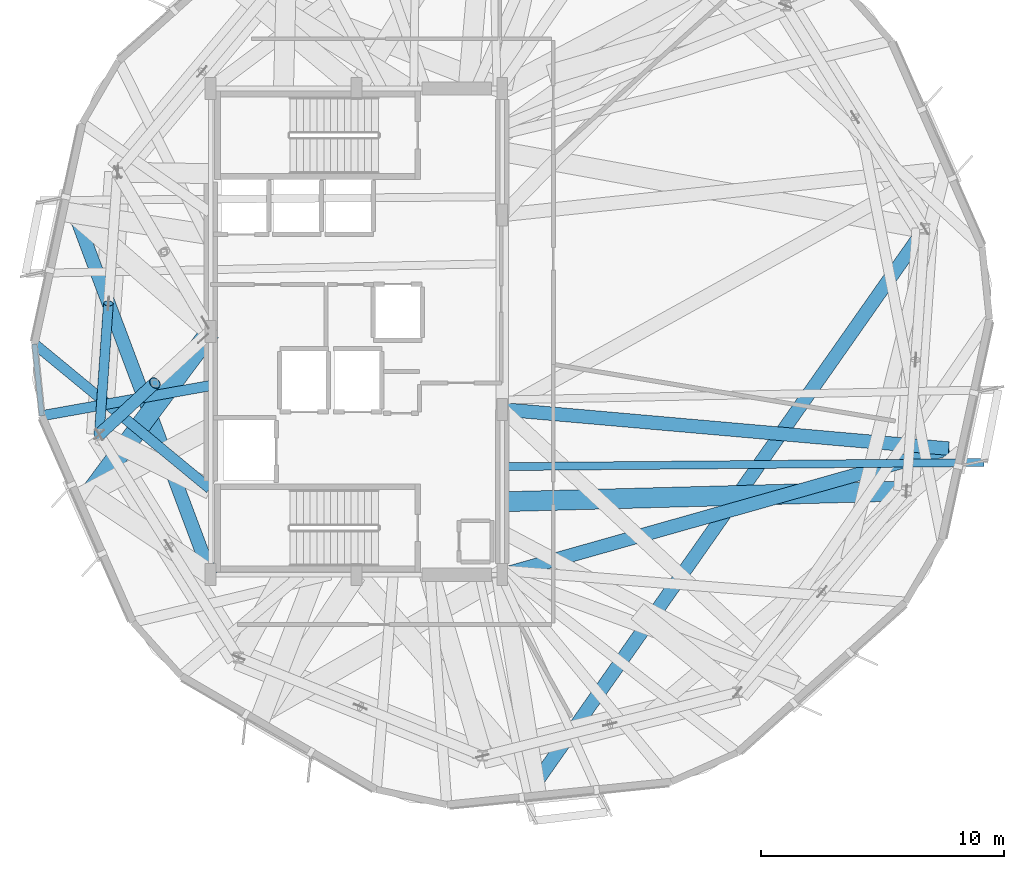
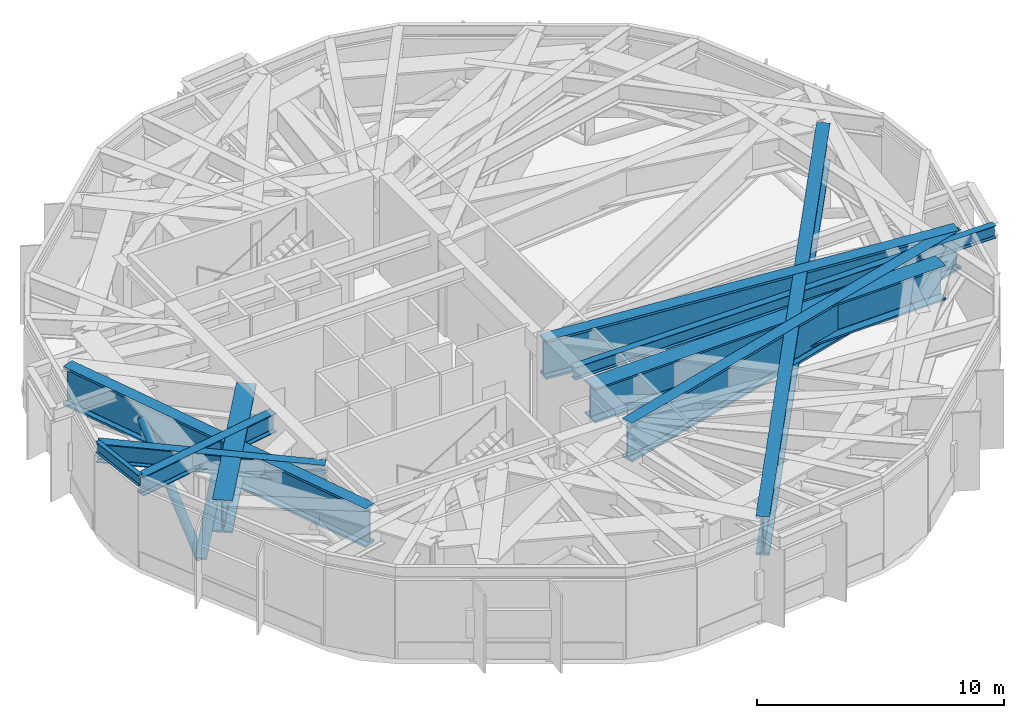
# One storey, part 2 of 14: 10 beams, 2 members.
"""IFC4 building model written with IfcOpenShell, lengths in metres."""

import ifcopenshell
import ifcopenshell.guid

model = None  # the IFC model being written
_history = None  # IfcOwnerHistory: only IFC2X3 demands one
_inside = {}  # id of a spatial element -> (the spatial element, [elements in it])
_under = {}  # id of a project, library or spatial element -> (it, [spatial elements below it])
_declared = {}  # id of a project -> (the project, [libraries it declares])
_typed = {}  # id of a type object -> (the type object, [elements of that type])
_made_of = {}  # id of a material, layer set ... -> (it, [elements and type objects made of it])


def new_model(schema):
    """Start an empty IFC model of exactly this schema.

    Asked for "IFC4X3", IfcOpenShell would pick the latest addendum, in which some entities
    have other attributes; the version numbers below select the first issue.
    IFC2X3 requires an IfcOwnerHistory on every rooted entity: one is made here for all.
    """
    global model, _history
    if schema == "IFC4X3":
        model = ifcopenshell.file(schema_version=(4, 3, 0, 0))
    else:
        model = ifcopenshell.file(schema=schema)
    _inside.clear()
    _under.clear()
    _declared.clear()
    _typed.clear()
    _made_of.clear()
    _history = None
    if model.schema == "IFC2X3":
        org = make("IfcOrganization", Name="unknown")
        user = make(
            "IfcPersonAndOrganization",
            ThePerson=make("IfcPerson", FamilyName="unknown"),
            TheOrganization=org,
        )
        app = make(
            "IfcApplication",
            ApplicationDeveloper=org,
            Version="unknown",
            ApplicationFullName="unknown",
            ApplicationIdentifier="unknown",
        )
        _history = make(
            "IfcOwnerHistory",
            OwningUser=user,
            OwningApplication=app,
            ChangeAction="ADDED",
            CreationDate=0,
        )
    return model


def make(cls, **values):
    """One entity of the class cls with the attributes given. An attribute that is None is left unset."""
    return model.create_entity(
        cls, **{name: value for name, value in values.items() if value is not None}
    )


def rooted(cls, **values):
    """An entity with a GlobalId (a new one), such as an element, a storey or a relation."""
    return make(cls, GlobalId=ifcopenshell.guid.new(), OwnerHistory=_history, **values)


def si_unit(unit_type, name, prefix=None):
    """IfcSIUnit, for example si_unit("LENGTHUNIT", "METRE", prefix="MILLI")."""
    return make("IfcSIUnit", UnitType=unit_type, Prefix=prefix, Name=name)


def assignment(units):
    """IfcUnitAssignment: the units of a project."""
    return None if units is None else make("IfcUnitAssignment", Units=units)


def point(xyz):
    """IfcCartesianPoint."""
    return None if xyz is None else make("IfcCartesianPoint", Coordinates=xyz)


def direction(xyz):
    """IfcDirection."""
    return None if xyz is None else make("IfcDirection", DirectionRatios=xyz)


def frame(location, z_axis=None, x_axis=None):
    """IfcAxis2Placement3D, a coordinate frame: its origin and axes. An axis left out is left unset."""
    return make(
        "IfcAxis2Placement3D",
        Location=point(location),
        Axis=direction(z_axis),
        RefDirection=direction(x_axis),
    )


def frame_2d(location, x_axis=None):
    """IfcAxis2Placement2D, a coordinate frame in the plane: its origin and x axis."""
    return make(
        "IfcAxis2Placement2D", Location=point(location), RefDirection=direction(x_axis)
    )


def origin():
    """The frame at (0, 0, 0) with its axes left unset."""
    return frame((0.0, 0.0, 0.0))


def origin_2d():
    """The frame at (0, 0) in the plane with its x axis left unset."""
    return frame_2d((0.0, 0.0))


def place(relative_to, where):
    """IfcLocalPlacement: puts the frame where relative to a parent placement (None: the world)."""
    return make(
        "IfcLocalPlacement", PlacementRelTo=relative_to, RelativePlacement=where
    )


def context(
    kind, dimensions, precision=None, world=None, true_north=None, identifier=None
):
    """IfcGeometricRepresentationContext, for example the 3D "Model" context."""
    return make(
        "IfcGeometricRepresentationContext",
        ContextIdentifier=identifier,
        ContextType=kind,
        CoordinateSpaceDimension=dimensions,
        Precision=precision,
        WorldCoordinateSystem=world,
        TrueNorth=true_north,
    )


def subcontext(parent, identifier, kind, view, scale=None):
    """IfcGeometricRepresentationSubContext, for example "Body" below "Model"."""
    return make(
        "IfcGeometricRepresentationSubContext",
        ContextIdentifier=identifier,
        ContextType=kind,
        ParentContext=parent,
        TargetScale=scale,
        TargetView=view,
    )


def project(units=None, contexts=None):
    """IfcProject with its units and contexts."""
    return rooted(
        "IfcProject",
        Name="project",
        RepresentationContexts=contexts,
        UnitsInContext=assignment(units),
    )


def spatial(cls, under=None, at=None, **own):
    """A site, building, storey or space (cls), placed at a placement, below another one or the project."""
    s = rooted(cls, ObjectPlacement=at, **own)
    if under is not None:
        _under.setdefault(under.id(), (under, []))[1].append(s)
    return s


def profile(cls, at=None, kind="AREA", **sizes):
    """A parametric profile (cls). Its sizes go by their IFC names, for example OverallWidth=200.0."""
    return make(cls, ProfileType=kind, Position=at, **sizes)


def hollow_circle(**sizes):
    """IfcCircleHollowProfileDef."""
    return profile("IfcCircleHollowProfileDef", **sizes)


def i_section(**sizes):
    """IfcIShapeProfileDef."""
    return profile("IfcIShapeProfileDef", **sizes)


def extrude(swept, where, along, depth):
    """IfcExtrudedAreaSolid: the profile swept, set in the frame where, extruded along a direction by depth."""
    return make(
        "IfcExtrudedAreaSolid",
        SweptArea=swept,
        Position=where,
        ExtrudedDirection=direction(along),
        Depth=depth,
    )


def shape(context_of_items, identifier, shape_type, items):
    """IfcShapeRepresentation: the items that make up one representation, for example the "Body"."""
    return make(
        "IfcShapeRepresentation",
        ContextOfItems=context_of_items,
        RepresentationIdentifier=identifier,
        RepresentationType=shape_type,
        Items=items,
    )


def material(Name=None, Category=None):
    """IfcMaterial."""
    return make("IfcMaterial", Name=Name, Category=Category)


def material_profile(
    of_material, cross_section, Name=None, Category=None, Priority=None
):
    """IfcMaterialProfile: a cross section and its material."""
    return make(
        "IfcMaterialProfile",
        Name=Name,
        Material=of_material,
        Profile=cross_section,
        Priority=Priority,
        Category=Category,
    )


def profile_set(profiles, Name=None, composite=None):
    """IfcMaterialProfileSet."""
    return make(
        "IfcMaterialProfileSet",
        Name=Name,
        MaterialProfiles=profiles,
        CompositeProfile=composite,
    )


def made_of(thing, what):
    """Note that an element or type object is made of a material, layer set ...; save() writes the relation."""
    if what is not None:
        _made_of.setdefault(what.id(), (what, []))[1].append(thing)
    return thing


def type_object(cls, material=None, **own):
    """A type object (cls), such as IfcWallType, which elements share."""
    return made_of(rooted(cls, **own), material)


def element(
    cls,
    number,
    at=None,
    inside=None,
    cuts=None,
    type_object=None,
    material=None,
    context=None,
    identifier="Body",
    shape_type=None,
    held_by="IfcProductDefinitionShape",
    body=None,
    shapes=None,
    **own,
):
    """One element of the class cls, such as IfcWall. Its Tag is "e" and its number.

    at: its placement. inside: the storey or other place that contains it. cuts: it is an
    opening in that element (IfcRelVoidsElement). A single representation is given by context,
    identifier, shape_type and body (its items); several are given by shapes. held_by: the class
    of the entity that holds the representations. save() writes the other relations.
    """
    e = rooted(cls, Tag="e%d" % number, ObjectPlacement=at, **own)
    if body is not None:
        shapes = [shape(context, identifier, shape_type, body)]
    if shapes is not None:
        e.Representation = make(held_by, Representations=shapes)
    if inside is not None:
        _inside.setdefault(inside.id(), (inside, []))[1].append(e)
    if cuts is not None:
        rooted(
            "IfcRelVoidsElement", RelatingBuildingElement=cuts, RelatedOpeningElement=e
        )
    if type_object is not None:
        _typed.setdefault(type_object.id(), (type_object, []))[1].append(e)
    return made_of(e, material)


def aggregate(whole, parts):
    """IfcRelAggregates: a whole, such as a stair, and the parts it consists of."""
    return rooted("IfcRelAggregates", RelatingObject=whole, RelatedObjects=parts)


def save(model, path):
    """Write the relations noted so far, then the file.

    IfcRelAggregates (storeys below a building ...), IfcRelContainedInSpatialStructure (elements
    in a storey), IfcRelDefinesByType, IfcRelAssociatesMaterial and IfcRelDeclares: one each for
    every whole, place, type object, material and project.
    """
    for whole, parts in _under.values():
        aggregate(whole, parts)
    for where, things in _inside.values():
        rooted(
            "IfcRelContainedInSpatialStructure",
            RelatedElements=things,
            RelatingStructure=where,
        )
    for kind, things in _typed.values():
        rooted("IfcRelDefinesByType", RelatedObjects=things, RelatingType=kind)
    for what, things in _made_of.values():
        rooted("IfcRelAssociatesMaterial", RelatedObjects=things, RelatingMaterial=what)
    for by, libraries in _declared.values():
        rooted("IfcRelDeclares", RelatingContext=by, RelatedDefinitions=libraries)
    model.write(path)


model = new_model("IFC4")

# Units and contexts
model_context = context("Model", 3, precision=1e-05, world=origin(), true_north=direction((0.0, 1.0)))
body_context = subcontext(model_context, "Body", "Model", "MODEL_VIEW")
ifc_project = project(units=[si_unit("LENGTHUNIT", "METRE"), si_unit("AREAUNIT", "SQUARE_METRE"), si_unit("VOLUMEUNIT", "CUBIC_METRE"), si_unit("PLANEANGLEUNIT", "RADIAN"), si_unit("MASSUNIT", "GRAM", prefix="KILO")], contexts=[model_context])

# Site, building, storey
site_placement = place(None, origin())
site = spatial("IfcSite", under=ifc_project, at=site_placement, CompositionType="ELEMENT")
building_placement = place(site_placement, origin())
building = spatial("IfcBuilding", under=site, at=building_placement, Name="Soratama Intermodal Tower", CompositionType="ELEMENT")
storey_placement = place(building_placement, frame((0.0, 0.0, 185.800048828125)))
storey = spatial("IfcBuildingStorey", under=building, at=storey_placement, Name="L46", CompositionType="ELEMENT", Elevation=185.800048828125)

# Beams
ifc_material_1 = material(Name="Structural steel ASTM A992 Grade 50", Category="steel")
ifc_material_profile_1 = material_profile(ifc_material_1, i_section(OverallWidth=0.324951171875, OverallDepth=0.615966796875, WebThickness=0.013916015625, FlangeThickness=0.021484375, FilletRadius=0.013916015625, at=origin_2d()), Name="W24X117")
ifc_profile_set_1 = profile_set([ifc_material_profile_1], Name="Structural steel ASTM A992 Grade 50")
beam_type_1 = type_object("IfcBeamType", Name="BM-CANT-W24X117", PredefinedType="BEAM", material=ifc_profile_set_1)
beam_1_placement = place(storey_placement, frame((44.639892578125, 19.444091796875, 4.19189453125), z_axis=(0.999963073869, 0.00859365453, 0.0), x_axis=(-0.00859365453, 0.999963073869, 0.0)))
element("IfcBeam", 1, at=beam_1_placement, inside=storey, type_object=beam_type_1, Name="BM-L46-CANT-1-1", PredefinedType="BEAM", context=body_context, shape_type="SweptSolid", body=[
    extrude(i_section(OverallWidth=0.324951171875, OverallDepth=0.615966796875, WebThickness=0.013916015625, FlangeThickness=0.021484375, FilletRadius=0.013916015625, at=origin_2d()), origin(), (0.0, 0.0, 1.0), 19.77294921875),
])
ifc_material_2 = material(Name="Structural steel ASTM A992 Grade 50", Category="steel")
ifc_material_profile_2 = material_profile(ifc_material_2, i_section(OverallWidth=0.423095703125, OverallDepth=0.93896484375, WebThickness=0.02392578125, FlangeThickness=0.042724609375, FilletRadius=0.02392578125, at=origin_2d()), Name="W36X302")
ifc_profile_set_2 = profile_set([ifc_material_profile_2], Name="Structural steel ASTM A992 Grade 50")
beam_type_2 = type_object("IfcBeamType", Name="BM-POD-W36X302", PredefinedType="BEAM", material=ifc_profile_set_2)
beam_2_placement = place(storey_placement, frame((32.569091796875, 18.54296875, 4.030517578125), z_axis=(-0.771540266051, 0.636180491576, 0.0), x_axis=(-0.636180491576, -0.771540266051, 0.0)))
element("IfcBeam", 2, at=beam_2_placement, inside=storey, type_object=beam_type_2, Name="BM-L46-TIE1-04", PredefinedType="BEAM", context=body_context, shape_type="SweptSolid", body=[
    extrude(i_section(OverallWidth=0.423095703125, OverallDepth=0.93896484375, WebThickness=0.02392578125, FlangeThickness=0.042724609375, FilletRadius=0.02392578125, at=origin_2d()), origin(), (0.0, 0.0, 1.0), 9.346435546875),
])
beam_3_placement = place(storey_placement, frame((32.56103515625, 22.77294921875, 4.030517578125), z_axis=(-0.984369633832, -0.176114803435, 0.0), x_axis=(0.176114803435, -0.984369633832, 0.0)))
element("IfcBeam", 3, at=beam_3_placement, inside=storey, type_object=beam_type_2, Name="BM-L46-TIE0-05", PredefinedType="BEAM", context=body_context, shape_type="SweptSolid", body=[
    extrude(i_section(OverallWidth=0.423095703125, OverallDepth=0.93896484375, WebThickness=0.02392578125, FlangeThickness=0.042724609375, FilletRadius=0.02392578125, at=origin_2d()), origin(), (0.0, 0.0, 1.0), 7.01171875),
])
ifc_material_3 = material(Name="Structural steel ASTM A992 Grade 50", Category="steel")
ifc_material_profile_3 = material_profile(ifc_material_3, i_section(OverallWidth=0.2099609375, OverallDepth=0.537109375, WebThickness=0.010986328125, FlangeThickness=0.017333984375, FilletRadius=0.012939453125, at=origin_2d()), Name="W21X68")
ifc_profile_set_3 = profile_set([ifc_material_profile_3], Name="Structural steel ASTM A992 Grade 50")
beam_type_3 = type_object("IfcBeamType", Name="BM-SPN-W21X68", PredefinedType="SPANDREL", material=ifc_profile_set_3)
beam_4_placement = place(storey_placement, frame((25.35791015625, 24.489013671875, 4.2314453125), z_axis=(0.101483764544, -0.994837195492, 0.0), x_axis=(0.994837195492, 0.101483764544, 0.0)))
element("IfcBeam", 4, at=beam_4_placement, inside=storey, type_object=beam_type_3, Name="BS-L46-CRN04", PredefinedType="SPANDREL", context=body_context, shape_type="SweptSolid", body=[
    extrude(i_section(OverallWidth=0.2099609375, OverallDepth=0.537109375, WebThickness=0.010986328125, FlangeThickness=0.017333984375, FilletRadius=0.012939453125, at=origin_2d()), origin(), (0.0, 0.0, 1.0), 2.96630859375),
])
ifc_material_4 = material(Name="Structural steel ASTM A992 Grade 50", Category="steel")
ifc_material_profile_4 = material_profile(ifc_material_4, i_section(OverallWidth=0.56005859375, OverallDepth=1.919921875, WebThickness=0.05810546875, FlangeThickness=0.110107421875, FilletRadius=0.02392578125, at=origin_2d()), Name="PG2150X720")
ifc_profile_set_4 = profile_set([ifc_material_profile_4], Name="Structural steel ASTM A992 Grade 50")
beam_type_4 = type_object("IfcBeamType", Name="BM-ZSTEP-LONG", PredefinedType="BEAM", material=ifc_profile_set_4)
beam_5_placement = place(storey_placement, frame((27.033935546875, 29.81396484375, 3.5400390625), z_axis=(0.351728628368, -0.936102009391, 0.0), x_axis=(0.936102009391, 0.351728628368, 0.0)))
element("IfcBeam", 5, at=beam_5_placement, inside=storey, type_object=beam_type_4, Name="BM-L46-ZSTEP-B05", PredefinedType="BEAM", context=body_context, shape_type="SweptSolid", body=[
    extrude(i_section(OverallWidth=0.56005859375, OverallDepth=1.919921875, WebThickness=0.05810546875, FlangeThickness=0.110107421875, FilletRadius=0.02392578125, at=origin_2d()), origin(), (0.0, 0.0, 1.0), 15.8251953125),
])
beam_6_placement = place(storey_placement, frame((45.972900390625, 6.426025390625, 3.5400390625), z_axis=(0.574463341387, 0.818530310619, 0.0), x_axis=(-0.818530310619, 0.574463341387, 0.0)))
element("IfcBeam", 6, at=beam_6_placement, inside=storey, type_object=beam_type_4, Name="BM-L46-ZSTEP-B08", PredefinedType="BEAM", context=body_context, shape_type="SweptSolid", body=[
    extrude(i_section(OverallWidth=0.56005859375, OverallDepth=1.919921875, WebThickness=0.05810546875, FlangeThickness=0.110107421875, FilletRadius=0.02392578125, at=origin_2d()), origin(), (0.0, 0.0, 1.0), 27.864501953125),
])
beam_7_placement = place(storey_placement, frame((44.60009765625, 21.800048828125, 3.5400390625), z_axis=(0.996160716813, -0.087543282317, 0.0), x_axis=(0.087543282317, 0.996160716813, 0.0)))
element("IfcBeam", 7, at=beam_7_placement, inside=storey, type_object=beam_type_4, Name="BM-L46-ZSTEP-A10", PredefinedType="BEAM", context=body_context, shape_type="SweptSolid", body=[
    extrude(i_section(OverallWidth=0.56005859375, OverallDepth=1.919921875, WebThickness=0.05810546875, FlangeThickness=0.110107421875, FilletRadius=0.02392578125, at=origin_2d()), origin(), (0.0, 0.0, 1.0), 18.436767578125),
])
beam_8_placement = place(storey_placement, frame((62.966064453125, 20.18603515625, 3.5400390625), z_axis=(-0.962368988592, -0.271746075953, 0.0), x_axis=(0.271746075953, -0.962368988592, 0.0)))
element("IfcBeam", 8, at=beam_8_placement, inside=storey, type_object=beam_type_4, Name="BM-L46-ZSTEP-B10", PredefinedType="BEAM", context=body_context, shape_type="SweptSolid", body=[
    extrude(i_section(OverallWidth=0.56005859375, OverallDepth=1.919921875, WebThickness=0.05810546875, FlangeThickness=0.110107421875, FilletRadius=0.02392578125, at=origin_2d()), origin(), (0.0, 0.0, 1.0), 19.084228515625),
])
ifc_material_5 = material(Name="Structural steel ASTM A992 Grade 50", Category="steel")
ifc_material_profile_5 = material_profile(ifc_material_5, i_section(OverallWidth=0.820068359375, OverallDepth=1.699951171875, WebThickness=0.053955078125, FlangeThickness=0.087890625, FilletRadius=0.02392578125, at=origin_2d()), Name="PG1580X800")
ifc_profile_set_5 = profile_set([ifc_material_profile_5], Name="Structural steel ASTM A992 Grade 50")
beam_type_5 = type_object("IfcBeamType", Name="BM-ZSTEP-PG1580", PredefinedType="BEAM", material=ifc_profile_set_5)
beam_9_placement = place(storey_placement, frame((44.60009765625, 18.0, 3.64990234375), z_axis=(0.999643459503, 0.026701196077, 0.0), x_axis=(-0.026701196077, 0.999643459503, 0.0)))
element("IfcBeam", 9, at=beam_9_placement, inside=storey, type_object=beam_type_5, Name="BM-L46-RAD-10", PredefinedType="BEAM", context=body_context, shape_type="SweptSolid", body=[
    extrude(i_section(OverallWidth=0.820068359375, OverallDepth=1.699951171875, WebThickness=0.053955078125, FlangeThickness=0.087890625, FilletRadius=0.02392578125, at=origin_2d()), origin(), (0.0, 0.0, 1.0), 16.6318359375),
])
ifc_material_6 = material(Name="Structural steel ASTM A992 Grade 50", Category="steel")
ifc_material_profile_6 = material_profile(ifc_material_6, i_section(OverallWidth=0.820068359375, OverallDepth=1.60205078125, WebThickness=0.055908203125, FlangeThickness=0.092041015625, FilletRadius=0.02392578125, at=origin_2d()), Name="PG1600X650")
ifc_profile_set_6 = profile_set([ifc_material_profile_6], Name="Structural steel ASTM A992 Grade 50")
beam_type_6 = type_object("IfcBeamType", Name="BM-ZSTEP-PG1600", PredefinedType="BEAM", material=ifc_profile_set_6)
beam_10_placement = place(storey_placement, frame((27.635009765625, 18.333984375, 3.698974609375), z_axis=(0.597346142996, 0.801983531906, 0.0), x_axis=(-0.801983531906, 0.597346142996, 0.0)))
element("IfcBeam", 10, at=beam_10_placement, inside=storey, type_object=beam_type_6, Name="BM-L46-ZSTEP-B06", PredefinedType="BEAM", context=body_context, shape_type="SweptSolid", body=[
    extrude(i_section(OverallWidth=0.820068359375, OverallDepth=1.60205078125, WebThickness=0.055908203125, FlangeThickness=0.092041015625, FilletRadius=0.02392578125, at=origin_2d()), origin(), (0.0, 0.0, 1.0), 8.31201171875),
])

# Members
ifc_material_7 = material(Name="Structural steel ASTM A500 Grade C", Category="steel")
ifc_material_profile_7 = material_profile(ifc_material_7, hollow_circle(Radius=0.203125, WallThickness=0.01611328125, at=origin_2d()), Name="CHS406X16")
ifc_profile_set_7 = profile_set([ifc_material_profile_7], Name="Structural steel ASTM A500 Grade C")
member_type_1 = type_object("IfcMemberType", Name="MB-BLT-CHS406", PredefinedType="BRACE", material=ifc_profile_set_7)
member_1_placement = place(storey_placement, frame((28.019775390625, 20.766357421875, 0.010009765625), z_axis=(0.058545426463, 0.836752744577, 0.544442170926), x_axis=(-0.997561230915, 0.069796780548, 0.0)))
element("IfcMember", 11, at=member_1_placement, inside=storey, type_object=member_type_1, Name="L46 Belt Truss Brace B 05", PredefinedType="BRACE", context=body_context, shape_type="SweptSolid", body=[
    extrude(hollow_circle(Radius=0.203125, WallThickness=0.01611328125, at=origin_2d()), origin(), (0.0, 0.0, 1.0), 6.447021484375),
])
ifc_material_8 = material(Name="Structural steel ASTM A500 Grade C", Category="steel")
ifc_material_profile_8 = material_profile(ifc_material_8, hollow_circle(Radius=0.25390625, WallThickness=0.01904296875, at=origin_2d()), Name="CHS508X19")
ifc_profile_set_8 = profile_set([ifc_material_profile_8], Name="Structural steel ASTM A500 Grade C")
member_type_2 = type_object("IfcMemberType", Name="MB-OUT-CHS508", PredefinedType="BRACE", material=ifc_profile_set_8)
member_2_placement = place(storey_placement, frame((28.019775390625, 20.766357421875, 0.010009765625), z_axis=(0.477770599015, 0.441657661414, 0.759390390268), x_axis=(-0.678809913784, 0.734314034286, 0.0)))
element("IfcMember", 12, at=member_2_placement, inside=storey, type_object=member_type_2, Name="L46 Outrigger Brace Outer 06", PredefinedType="BRACE", context=body_context, shape_type="SweptSolid", body=[
    extrude(hollow_circle(Radius=0.25390625, WallThickness=0.01904296875, at=origin_2d()), origin(), (0.0, 0.0, 1.0), 4.793212890625),
])

save(model, "model.ifc")
